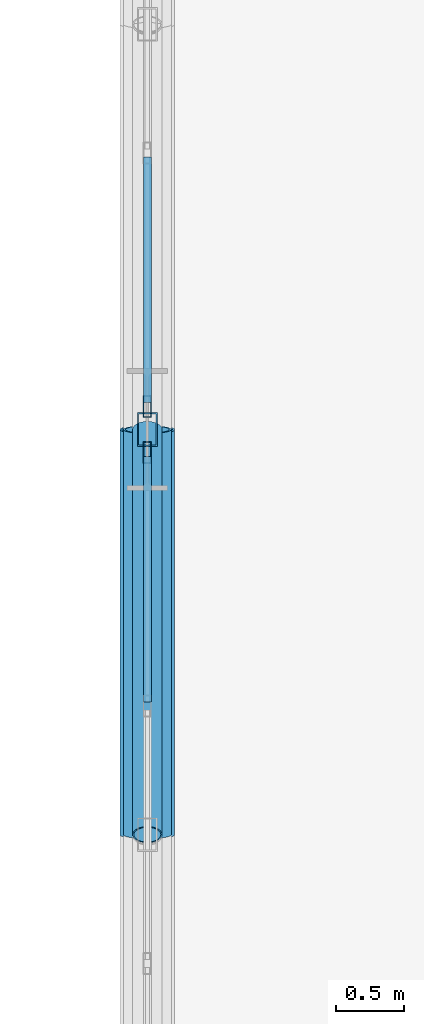
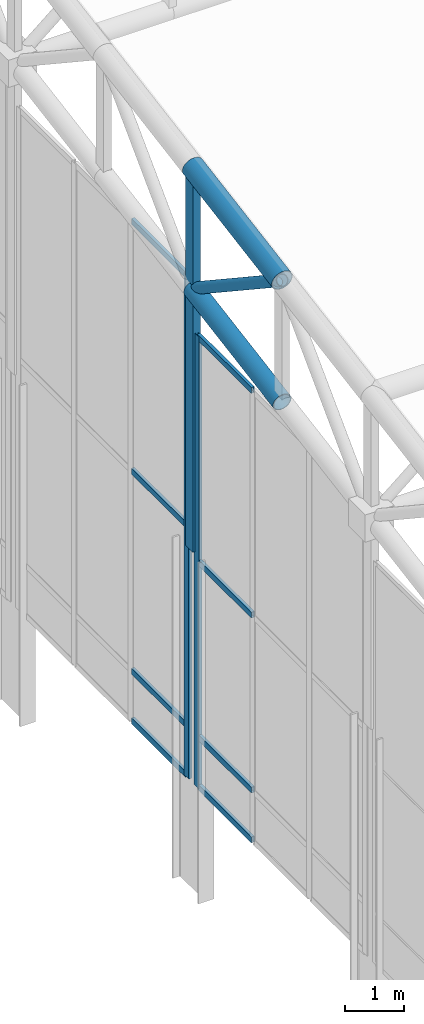
# One storey, part 77 of 239: 14 members, 2 elements without a shape of their own.
"""IFC4 building model written with IfcOpenShell, lengths in metres."""

from ifc_helpers import new_model, si_unit, direction, frame, origin, origin_2d, place, context, subcontext, project, spatial, hollow_rectangle, hollow_circle, extrude, material, material_profile, profile_set, type_object, element, aggregate, save


model = new_model("IFC4")

# Units and contexts
model_context = context("Model", 3, precision=1e-05, world=origin(), true_north=direction((0.0, 1.0)))
body_context = subcontext(model_context, "Body", "Model", "MODEL_VIEW")
ifc_project = project(units=[si_unit("LENGTHUNIT", "METRE"), si_unit("AREAUNIT", "SQUARE_METRE"), si_unit("VOLUMEUNIT", "CUBIC_METRE"), si_unit("PLANEANGLEUNIT", "RADIAN"), si_unit("MASSUNIT", "GRAM", prefix="KILO")], contexts=[model_context])

# Site, building, storey
site_placement = place(None, origin())
site = spatial("IfcSite", under=ifc_project, at=site_placement, CompositionType="ELEMENT")
building_placement = place(site_placement, origin())
building = spatial("IfcBuilding", under=site, at=building_placement, Name="Kaldris Quays Convention Centre", CompositionType="ELEMENT")
storey_placement = place(building_placement, frame((0.0, 0.0, 11.39990234375)))
storey = spatial("IfcBuildingStorey", under=building, at=storey_placement, Name="L02", CompositionType="ELEMENT", Elevation=11.39990234375)

# Curtain wall, member
ifc_material_1 = material(Name="Anodized aluminium AW-6060 and triple glazing", Category="aluminium")
curtain_wall_type = type_object("IfcCurtainWallType", Name="UNITISED CURTAIN WALL CW03", PredefinedType="NOTDEFINED", material=ifc_material_1)
curtain_wall_1_placement = place(storey_placement, origin())
curtain_wall_1 = element("IfcCurtainWall", 1, at=curtain_wall_1_placement, inside=storey, type_object=curtain_wall_type, Name="L02 Unitised Curtain Wall CW03 217", PredefinedType="NOTDEFINED")
ifc_material_2 = material(Name="Anodized aluminium AW-6060", Category="aluminium")
ifc_material_profile_1 = material_profile(ifc_material_2, hollow_rectangle(XDim=0.06005859375, YDim=0.159912109375, WallThickness=0.00390625, at=origin_2d()), Name="RHS 160x60x4")
ifc_profile_set_1 = profile_set([ifc_material_profile_1], Name="Anodized aluminium AW-6060")
member_type_1 = type_object("IfcMemberType", Name="CURTAIN MULLION CWM1", PredefinedType="MULLION", material=ifc_profile_set_1)
member_1_placement = place(storey_placement, frame((20.0, 85.830078125, 2.195068359375), z_axis=(0.0, 0.0, 1.0), x_axis=(-1.0, 0.0, 0.0)))
member_1 = element("IfcMember", 2, at=member_1_placement, type_object=member_type_1, Name="CW03 mullion 4", PredefinedType="MULLION", context=body_context, shape_type="SweptSolid", body=[
    extrude(hollow_rectangle(XDim=0.06005859375, YDim=0.159912109375, WallThickness=0.00390625, at=origin_2d()), origin(), (0.0, 0.0, 1.0), 9.283935546875),
])

curtain_wall_2_placement = place(storey_placement, origin())
curtain_wall_2 = element("IfcCurtainWall", 3, at=curtain_wall_2_placement, inside=storey, type_object=curtain_wall_type, Name="L02 Unitised Curtain Wall CW03 218", PredefinedType="NOTDEFINED")
member_2_placement = place(storey_placement, frame((20.0, 86.169921875, 2.195068359375), z_axis=(0.0, 0.0, 1.0), x_axis=(-1.0, 0.0, 0.0)))
member_2 = element("IfcMember", 4, at=member_2_placement, type_object=member_type_1, Name="CW03 mullion 1", PredefinedType="MULLION", context=body_context, shape_type="SweptSolid", body=[
    extrude(hollow_rectangle(XDim=0.06005859375, YDim=0.159912109375, WallThickness=0.00390625, at=origin_2d()), origin(), (0.0, 0.0, 1.0), 10.31201171875),
])

# Member
ifc_material_profile_2 = material_profile(ifc_material_2, hollow_rectangle(XDim=0.06005859375, YDim=0.1201171875, WallThickness=0.00390625, at=origin_2d()), Name="RHS 120x60x4")
ifc_profile_set_2 = profile_set([ifc_material_profile_2], Name="Anodized aluminium AW-6060")
member_type_2 = type_object("IfcMemberType", Name="CURTAIN TRANSOM CWT1", PredefinedType="USERDEFINED", material=ifc_profile_set_2)
member_3_placement = place(storey_placement, frame((20.0, 83.9833984375, 2.22509765625), z_axis=(0.0, 1.0, 0.0), x_axis=(-1.0, 0.0, 0.0)))
member_3 = element("IfcMember", 5, at=member_3_placement, type_object=member_type_2, Name="CW03 transom 3.1", ObjectType="TRANSOM", PredefinedType="USERDEFINED", context=body_context, shape_type="SweptSolid", body=[
    extrude(hollow_rectangle(XDim=0.06005859375, YDim=0.1201171875, WallThickness=0.00390625, at=origin_2d()), origin(), (0.0, 0.0, 1.0), 1.816650390625),
])

member_4_placement = place(storey_placement, frame((20.0, 83.9833984375, 3.2451171875), z_axis=(0.0, 1.0, 0.0), x_axis=(-1.0, 0.0, 0.0)))
member_4 = element("IfcMember", 6, at=member_4_placement, type_object=member_type_2, Name="CW03 transom 3.2", ObjectType="TRANSOM", PredefinedType="USERDEFINED", context=body_context, shape_type="SweptSolid", body=[
    extrude(hollow_rectangle(XDim=0.06005859375, YDim=0.1201171875, WallThickness=0.00390625, at=origin_2d()), origin(), (0.0, 0.0, 1.0), 1.816650390625),
])

member_5_placement = place(storey_placement, frame((20.0, 83.9833984375, 6.837158203125), z_axis=(0.0, 1.0, 0.0), x_axis=(-1.0, 0.0, 0.0)))
member_5 = element("IfcMember", 7, at=member_5_placement, type_object=member_type_2, Name="CW03 transom 3.3", ObjectType="TRANSOM", PredefinedType="USERDEFINED", context=body_context, shape_type="SweptSolid", body=[
    extrude(hollow_rectangle(XDim=0.06005859375, YDim=0.1201171875, WallThickness=0.00390625, at=origin_2d()), origin(), (0.0, 0.0, 1.0), 1.816650390625),
])

member_6_placement = place(storey_placement, frame((20.0, 83.9833984375, 11.44921875), z_axis=(0.0, 1.0, 0.0), x_axis=(-1.0, 0.0, 0.0)))
member_6 = element("IfcMember", 8, at=member_6_placement, type_object=member_type_2, Name="CW03 transom 3.4", ObjectType="TRANSOM", PredefinedType="USERDEFINED", context=body_context, shape_type="SweptSolid", body=[
    extrude(hollow_rectangle(XDim=0.06005859375, YDim=0.1201171875, WallThickness=0.00390625, at=origin_2d()), origin(), (0.0, 0.0, 1.0), 1.816650390625),
])

aggregate(curtain_wall_1, [member_1, member_3, member_4, member_5, member_6])

member_7_placement = place(storey_placement, frame((20.0, 86.199951171875, 2.22509765625), z_axis=(0.0, 1.0, 0.0), x_axis=(-1.0, 0.0, 0.0)))
member_7 = element("IfcMember", 9, at=member_7_placement, type_object=member_type_2, Name="CW03 transom 1.1", ObjectType="TRANSOM", PredefinedType="USERDEFINED", context=body_context, shape_type="SweptSolid", body=[
    extrude(hollow_rectangle(XDim=0.06005859375, YDim=0.1201171875, WallThickness=0.00390625, at=origin_2d()), origin(), (0.0, 0.0, 1.0), 1.816650390625),
])

member_8_placement = place(storey_placement, frame((20.0, 86.199951171875, 3.2451171875), z_axis=(0.0, 1.0, 0.0), x_axis=(-1.0, 0.0, 0.0)))
member_8 = element("IfcMember", 10, at=member_8_placement, type_object=member_type_2, Name="CW03 transom 1.2", ObjectType="TRANSOM", PredefinedType="USERDEFINED", context=body_context, shape_type="SweptSolid", body=[
    extrude(hollow_rectangle(XDim=0.06005859375, YDim=0.1201171875, WallThickness=0.00390625, at=origin_2d()), origin(), (0.0, 0.0, 1.0), 1.816650390625),
])

member_9_placement = place(storey_placement, frame((20.0, 86.199951171875, 7.35107421875), z_axis=(0.0, 1.0, 0.0), x_axis=(-1.0, 0.0, 0.0)))
member_9 = element("IfcMember", 11, at=member_9_placement, type_object=member_type_2, Name="CW03 transom 1.3", ObjectType="TRANSOM", PredefinedType="USERDEFINED", context=body_context, shape_type="SweptSolid", body=[
    extrude(hollow_rectangle(XDim=0.06005859375, YDim=0.1201171875, WallThickness=0.00390625, at=origin_2d()), origin(), (0.0, 0.0, 1.0), 1.816650390625),
])

member_10_placement = place(storey_placement, frame((20.0, 86.199951171875, 12.47705078125), z_axis=(0.0, 1.0, 0.0), x_axis=(-1.0, 0.0, 0.0)))
member_10 = element("IfcMember", 12, at=member_10_placement, type_object=member_type_2, Name="CW03 transom 1.4", ObjectType="TRANSOM", PredefinedType="USERDEFINED", context=body_context, shape_type="SweptSolid", body=[
    extrude(hollow_rectangle(XDim=0.06005859375, YDim=0.1201171875, WallThickness=0.00390625, at=origin_2d()), origin(), (0.0, 0.0, 1.0), 1.816650390625),
])

aggregate(curtain_wall_2, [member_2, member_7, member_8, member_9, member_10])

# Members
ifc_material_3 = material(Name="Steel S355J2H", Category="steel")
ifc_material_profile_3 = material_profile(ifc_material_3, hollow_circle(Radius=0.203125, WallThickness=0.01611328125, at=origin_2d()), Name="CHS 406.4x16")
ifc_profile_set_3 = profile_set([ifc_material_profile_3], Name="Steel S355J2H")
member_type_3 = type_object("IfcMemberType", Name="STRUCTURAL MEMBER SC01", PredefinedType="CHORD", material=ifc_profile_set_3)
member_11_placement = place(storey_placement, frame((20.0, 83.0, 14.300537109375), z_axis=(0.0, 0.98562912375, 0.168923741424), x_axis=(-1.0, 0.0, 0.0)))
element("IfcMember", 13, at=member_11_placement, inside=storey, type_object=member_type_3, Name="SF-V1 Top Chord Y 346", PredefinedType="CHORD", context=body_context, shape_type="SweptSolid", body=[
    extrude(hollow_circle(Radius=0.203125, WallThickness=0.01611328125, at=origin_2d()), origin(), (0.0, 0.0, 1.0), 3.043701171875),
])
ifc_material_profile_4 = material_profile(ifc_material_3, hollow_circle(Radius=0.177734375, WallThickness=0.01611328125, at=origin_2d()), Name="CHS 355.6x16")
ifc_profile_set_4 = profile_set([ifc_material_profile_4], Name="Steel S355J2H")
member_type_4 = type_object("IfcMemberType", Name="STRUCTURAL MEMBER SC02", PredefinedType="CHORD", material=ifc_profile_set_4)
member_12_placement = place(storey_placement, frame((20.0, 83.0, 11.800537109375), z_axis=(0.0, 0.98562912375, 0.168923741424), x_axis=(-1.0, 0.0, 0.0)))
element("IfcMember", 14, at=member_12_placement, inside=storey, type_object=member_type_4, Name="SF-V1 Bottom Chord Y 346", PredefinedType="CHORD", context=body_context, shape_type="SweptSolid", body=[
    extrude(hollow_circle(Radius=0.177734375, WallThickness=0.01611328125, at=origin_2d()), origin(), (0.0, 0.0, 1.0), 3.043701171875),
])
ifc_material_profile_5 = material_profile(ifc_material_3, hollow_circle(Radius=0.109619140625, WallThickness=0.010009765625, at=origin_2d()), Name="CHS 219.1x10")
ifc_profile_set_5 = profile_set([ifc_material_profile_5], Name="Steel S355J2H")
member_type_5 = type_object("IfcMemberType", Name="STRUCTURAL MEMBER SWB1", PredefinedType="BRACE", material=ifc_profile_set_5)
member_13_placement = place(storey_placement, frame((20.0, 86.0, 12.314697265625), z_axis=(0.0, -0.833862389808, 0.551972385962), x_axis=(1.0, 0.0, 0.0)))
element("IfcMember", 15, at=member_13_placement, inside=storey, type_object=member_type_5, Name="SF-V1 Web Diagonal Y 346", PredefinedType="BRACE", context=body_context, shape_type="SweptSolid", body=[
    extrude(hollow_circle(Radius=0.109619140625, WallThickness=0.010009765625, at=origin_2d()), origin(), (0.0, 0.0, 1.0), 3.59765625),
])
ifc_material_profile_6 = material_profile(ifc_material_3, hollow_rectangle(XDim=0.14990234375, YDim=0.25, WallThickness=0.010009765625, at=origin_2d()), Name="RHS 250x150x10")
ifc_profile_set_6 = profile_set([ifc_material_profile_6], Name="Steel S355J2H")
member_type_6 = type_object("IfcMemberType", Name="STRUCTURAL MEMBER TTV1", PredefinedType="POST", material=ifc_profile_set_6)
member_14_placement = place(storey_placement, frame((20.0, 86.0, 6.994140625), z_axis=(0.0, 0.0, 1.0), x_axis=(1.0, 0.0, 0.0)))
element("IfcMember", 16, at=member_14_placement, inside=storey, type_object=member_type_6, Name="SF-V1 Space-Frame Post 11", PredefinedType="POST", context=body_context, shape_type="SweptSolid", body=[
    extrude(hollow_rectangle(XDim=0.14990234375, YDim=0.25, WallThickness=0.010009765625, at=origin_2d()), origin(), (0.0, 0.0, 1.0), 7.820556640625),
])

save(model, "model.ifc")
